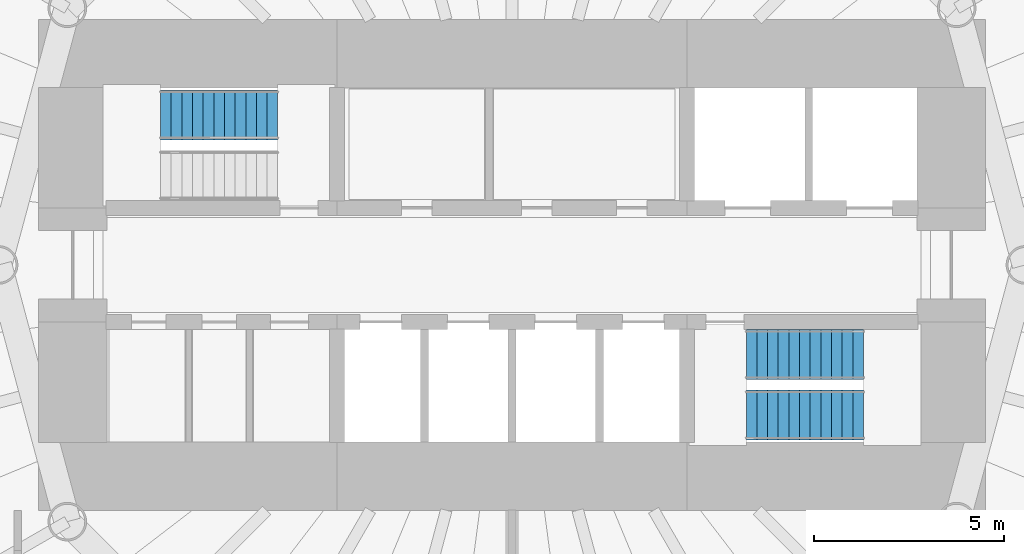
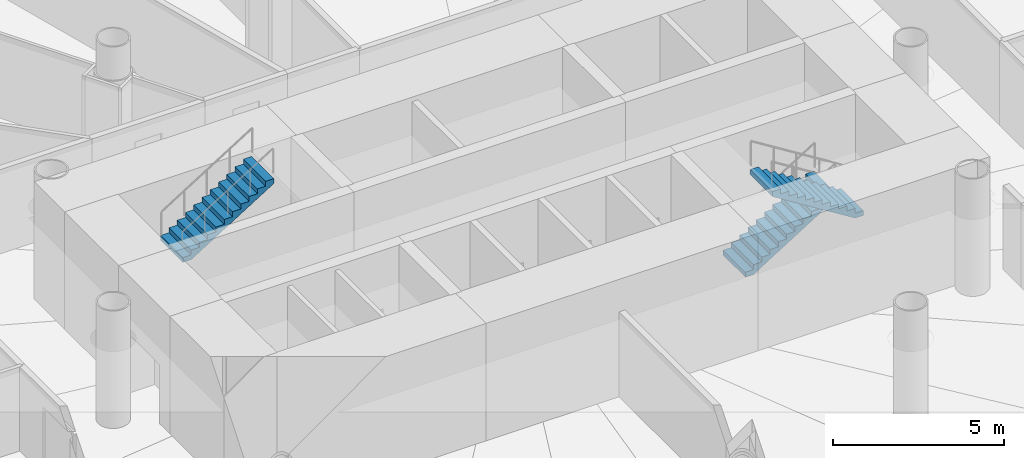
# One storey, part 12 of 16: 3 stair flights, 2 elements without a shape of their own.
"""IFC4 building model written with IfcOpenShell, lengths in metres."""

from ifc_helpers import new_model, si_unit, direction, frame, origin, place, context, subcontext, project, spatial, polyline, outline, extrude, material, type_object, element, aggregate, save


model = new_model("IFC4")

# Units and contexts
model_context = context("Model", 3, precision=1e-05, world=origin(), true_north=direction((0.0, 1.0)))
body_context = subcontext(model_context, "Body", "Model", "MODEL_VIEW")
ifc_project = project(units=[si_unit("LENGTHUNIT", "METRE"), si_unit("AREAUNIT", "SQUARE_METRE"), si_unit("VOLUMEUNIT", "CUBIC_METRE"), si_unit("PLANEANGLEUNIT", "RADIAN"), si_unit("MASSUNIT", "GRAM", prefix="KILO")], contexts=[model_context])

# Site, building, storey
site_placement = place(None, origin())
site = spatial("IfcSite", under=ifc_project, at=site_placement, CompositionType="ELEMENT")
building_placement = place(site_placement, origin())
building = spatial("IfcBuilding", under=site, at=building_placement, Name="Qaws Media Tower", CompositionType="ELEMENT")
storey_placement = place(building_placement, frame((0.0, 0.0, 173.0)))
storey = spatial("IfcBuildingStorey", under=building, at=storey_placement, Name="L39", CompositionType="ELEMENT", Elevation=173.0)

# Stair, stair flight
ifc_material_1 = material(Name="Concrete C40/50", Category="concrete")
stair_type = type_object("IfcStairType", Name="Exit stair", PredefinedType="HALF_TURN_STAIR", material=ifc_material_1)
stair_1_placement = place(storey_placement, origin())
stair_1 = element("IfcStair", 1, at=stair_1_placement, inside=storey, type_object=stair_type, Name="S1 exit stair L39", PredefinedType="HALF_TURN_STAIR")
ifc_material_2 = material(Name="Concrete C40/50", Category="concrete")
stair_flight_type = type_object("IfcStairFlightType", Name="Stair flight 1310", PredefinedType="STRAIGHT", material=ifc_material_2)
stair_flight_1_placement = place(storey_placement, frame((50.760009765625, 53.945068359375, 2.10009765625), z_axis=(0.0, 0.0, 1.0), x_axis=(1.0, 0.0, 0.0)))
stair_flight_1 = element("IfcStairFlight", 2, at=stair_flight_1_placement, type_object=stair_flight_type, Name="S1 flight 2", NumberOfRisers=12, NumberOfTreads=11, PredefinedType="STRAIGHT", RiserHeight=0.175, TreadLength=0.28, context=body_context, shape_type="SweptSolid", body=[
    extrude(outline(polyline([(0.0, 0.0), (0.0, 0.175048828125), (0.280029296875, 0.175048828125), (0.280029296875, 0.35009765625), (0.56005859375, 0.35009765625), (0.56005859375, 0.52490234375), (0.840087890625, 0.52490234375), (0.840087890625, 0.699951171875), (1.1201171875, 0.699951171875), (1.1201171875, 0.875), (1.39990234375, 0.875), (1.39990234375, 1.050048828125), (1.679931640625, 1.050048828125), (1.679931640625, 1.22509765625), (1.9599609375, 1.22509765625), (1.9599609375, 1.39990234375), (2.239990234375, 1.39990234375), (2.239990234375, 1.574951171875), (2.52001953125, 1.574951171875), (2.52001953125, 1.75), (2.800048828125, 1.75), (2.800048828125, 1.925048828125), (3.080078125, 1.925048828125), (3.080078125, 2.10009765625), (3.080078125, 1.748291015625), (0.28271484375, 0.0), (0.0, 0.0)])), frame((0.0, 0.655029296875, 0.0), z_axis=(0.0, -1.0, 0.0), x_axis=(1.0, 0.0, 0.0)), (0.0, 0.0, 1.0), 1.31005859375),
])
aggregate(stair_1, [stair_flight_1])

# Stair, stair flights
stair_2_placement = place(storey_placement, origin())
stair_2 = element("IfcStair", 3, at=stair_2_placement, inside=storey, type_object=stair_type, Name="S2 exit stair L39", PredefinedType="HALF_TURN_STAIR")
stair_flight_2_placement = place(storey_placement, frame((66.159912109375, 47.64501953125, 0.0), z_axis=(0.0, 0.0, 1.0), x_axis=(1.0, 0.0, 0.0)))
stair_flight_2 = element("IfcStairFlight", 4, at=stair_flight_2_placement, type_object=stair_flight_type, Name="S2 flight 1", NumberOfRisers=12, NumberOfTreads=11, PredefinedType="STRAIGHT", RiserHeight=0.175, TreadLength=0.28, context=body_context, shape_type="SweptSolid", body=[
    extrude(outline(polyline([(0.0, 0.0), (0.0, 0.175048828125), (0.280029296875, 0.175048828125), (0.280029296875, 0.35009765625), (0.56005859375, 0.35009765625), (0.56005859375, 0.52490234375), (0.840087890625, 0.52490234375), (0.840087890625, 0.699951171875), (1.1201171875, 0.699951171875), (1.1201171875, 0.875), (1.39990234375, 0.875), (1.39990234375, 1.050048828125), (1.679931640625, 1.050048828125), (1.679931640625, 1.22509765625), (1.9599609375, 1.22509765625), (1.9599609375, 1.39990234375), (2.239990234375, 1.39990234375), (2.239990234375, 1.574951171875), (2.52001953125, 1.574951171875), (2.52001953125, 1.75), (2.800048828125, 1.75), (2.800048828125, 1.925048828125), (3.080078125, 1.925048828125), (3.080078125, 2.10009765625), (3.080078125, 1.748291015625), (0.28271484375, 0.0), (0.0, 0.0)])), frame((0.0, 0.655029296875, 0.0), z_axis=(0.0, -1.0, 0.0), x_axis=(1.0, 0.0, 0.0)), (0.0, 0.0, 1.0), 1.31005859375),
])
stair_flight_3_placement = place(storey_placement, frame((69.239990234375, 46.054931640625, 2.10009765625), z_axis=(0.0, 0.0, 1.0), x_axis=(-1.0, 0.0, 0.0)))
stair_flight_3 = element("IfcStairFlight", 5, at=stair_flight_3_placement, type_object=stair_flight_type, Name="S2 flight 2", NumberOfRisers=12, NumberOfTreads=11, PredefinedType="STRAIGHT", RiserHeight=0.175, TreadLength=0.28, context=body_context, shape_type="SweptSolid", body=[
    extrude(outline(polyline([(0.0, 0.0), (0.0, 0.175048828125), (0.280029296875, 0.175048828125), (0.280029296875, 0.35009765625), (0.56005859375, 0.35009765625), (0.56005859375, 0.52490234375), (0.840087890625, 0.52490234375), (0.840087890625, 0.699951171875), (1.1201171875, 0.699951171875), (1.1201171875, 0.875), (1.39990234375, 0.875), (1.39990234375, 1.050048828125), (1.679931640625, 1.050048828125), (1.679931640625, 1.22509765625), (1.9599609375, 1.22509765625), (1.9599609375, 1.39990234375), (2.239990234375, 1.39990234375), (2.239990234375, 1.574951171875), (2.52001953125, 1.574951171875), (2.52001953125, 1.75), (2.800048828125, 1.75), (2.800048828125, 1.925048828125), (3.080078125, 1.925048828125), (3.080078125, 2.10009765625), (3.080078125, 1.748291015625), (0.28271484375, 0.0), (0.0, 0.0)])), frame((0.0, 0.655029296875, 0.0), z_axis=(0.0, -1.0, 0.0), x_axis=(1.0, 0.0, 0.0)), (0.0, 0.0, 1.0), 1.31005859375),
])
aggregate(stair_2, [stair_flight_2, stair_flight_3])

save(model, "model.ifc")
